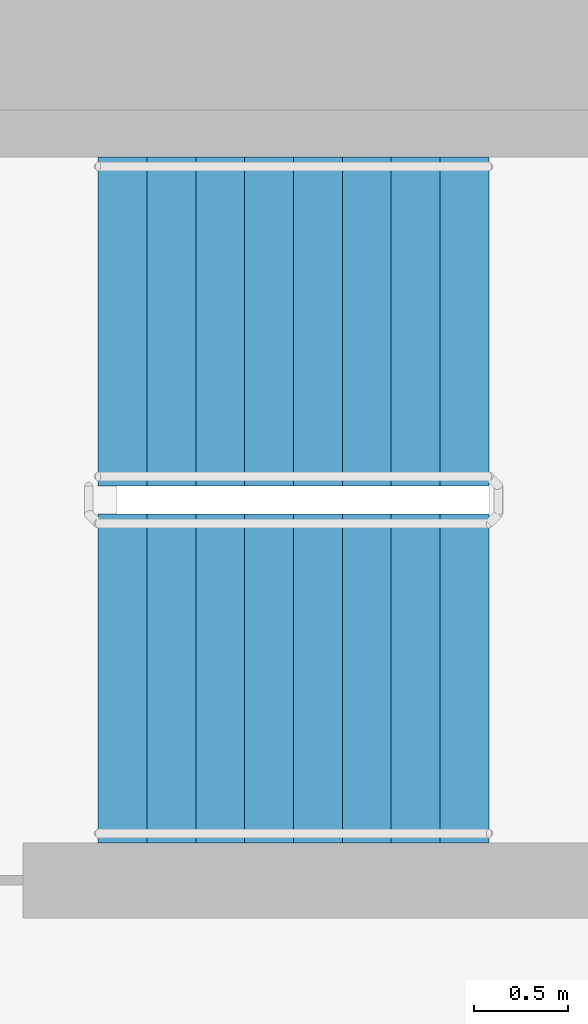
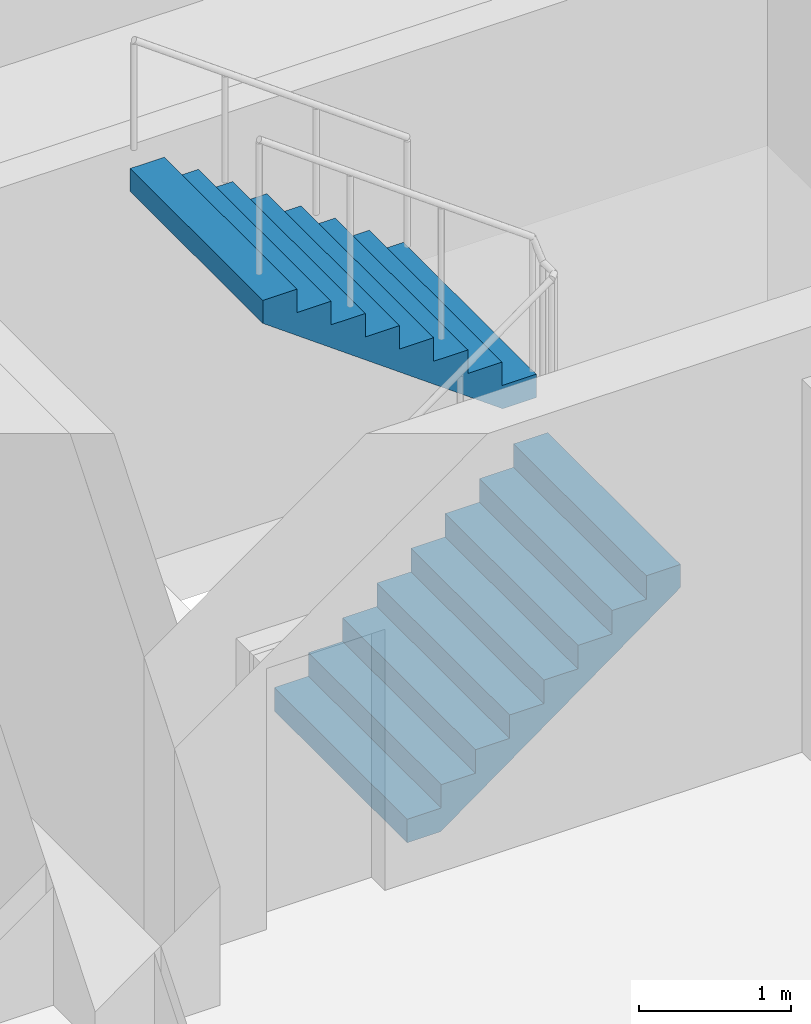
# One storey, part 16 of 21: 2 stair flights, 1 element without a shape of its own.
"""IFC4 building model written with IfcOpenShell, lengths in metres."""

from ifc_helpers import new_model, si_unit, direction, frame, origin, place, context, subcontext, project, spatial, faceted_brep, material, type_object, element, aggregate, save


model = new_model("IFC4")

# Units and contexts
model_context = context("Model", 3, precision=1e-05, world=origin(), true_north=direction((0.0, 1.0)))
body_context = subcontext(model_context, "Body", "Model", "MODEL_VIEW")
ifc_project = project(units=[si_unit("LENGTHUNIT", "METRE"), si_unit("AREAUNIT", "SQUARE_METRE"), si_unit("VOLUMEUNIT", "CUBIC_METRE"), si_unit("PLANEANGLEUNIT", "RADIAN"), si_unit("MASSUNIT", "GRAM", prefix="KILO")], contexts=[model_context])

# Site, building, storey
site_placement = place(None, origin())
site = spatial("IfcSite", under=ifc_project, at=site_placement, CompositionType="ELEMENT")
building_placement = place(site_placement, origin())
building = spatial("IfcBuilding", under=site, at=building_placement, Name="Ipe Terrace Towers", CompositionType="ELEMENT")
storey_placement = place(building_placement, frame((0.0, 0.0, 114.0)))
storey = spatial("IfcBuildingStorey", under=building, at=storey_placement, Name="L31", CompositionType="ELEMENT", Elevation=114.0)

# Stair, stair flights
ifc_material_1 = material(Name="Concrete C30/37", Category="concrete")
stair_type = type_object("IfcStairType", Name="Protected exit stair", PredefinedType="HALF_TURN_STAIR", material=ifc_material_1)
stair_placement = place(storey_placement, origin())
stair = element("IfcStair", 1, at=stair_placement, inside=storey, type_object=stair_type, Name="L31 Exit stair T1-C1", PredefinedType="HALF_TURN_STAIR")
ifc_material_2 = material(Name="Concrete C30/37", Category="concrete")
stair_flight_type = type_object("IfcStairFlightType", Name="Exit stair flight 1750", PredefinedType="STRAIGHT", material=ifc_material_2)
stair_flight_1_placement = place(storey_placement, frame((-26.300048828125, 2.77490234375, 0.0), z_axis=(0.0, 0.0, 1.0), x_axis=(1.0, 0.0, 0.0)))
stair_flight_1 = element("IfcStairFlight", 2, at=stair_flight_1_placement, type_object=stair_flight_type, Name="T1-ST1 flight 1", NumberOfRisers=9, NumberOfTreads=8, PredefinedType="STRAIGHT", RiserHeight=0.188888889, TreadLength=0.26, context=body_context, shape_type="Brep", body=[
    faceted_brep([(0.255126953125, -0.875, 0.0), (2.080078125, -0.875, 1.325927734375), (2.080078125, -0.875, 1.51123046875), (1.820068359375, -0.875, 1.51123046875), (1.820068359375, -0.875, 1.322265625), (1.56005859375, -0.875, 1.322265625), (1.56005859375, -0.875, 1.13330078125), (1.300048828125, -0.875, 1.13330078125), (1.300048828125, -0.875, 0.9443359375), (1.0400390625, -0.875, 0.9443359375), (1.0400390625, -0.875, 0.755615234375), (0.780029296875, -0.875, 0.755615234375), (0.780029296875, -0.875, 0.566650390625), (0.52001953125, -0.875, 0.566650390625), (0.52001953125, -0.875, 0.377685546875), (0.260009765625, -0.875, 0.377685546875), (0.260009765625, -0.875, 0.18896484375), (0.0, -0.875, 0.18896484375), (0.0, -0.875, 0.0), (0.0, 0.875, 0.0), (0.0, 0.875, 0.18896484375), (0.260009765625, 0.875, 0.18896484375), (0.260009765625, 0.875, 0.377685546875), (0.52001953125, 0.875, 0.377685546875), (0.52001953125, 0.875, 0.566650390625), (0.780029296875, 0.875, 0.566650390625), (0.780029296875, 0.875, 0.755615234375), (1.0400390625, 0.875, 0.755615234375), (1.0400390625, 0.875, 0.9443359375), (1.300048828125, 0.875, 0.9443359375), (1.300048828125, 0.875, 1.13330078125), (1.56005859375, 0.875, 1.13330078125), (1.56005859375, 0.875, 1.322265625), (1.820068359375, 0.875, 1.322265625), (1.820068359375, 0.875, 1.51123046875), (2.080078125, 0.875, 1.51123046875), (2.080078125, 0.875, 1.325927734375), (0.255126953125, 0.875, 0.0), (0.0, -0.300048828125, 0.18896484375), (0.0, -0.1201171875, 0.18896484375), (0.0, -0.06005859375, 0.18896484375), (0.0, -0.030029296875, 0.18896484375), (0.0, -0.010009765625, 0.18896484375), (0.0, 0.0, 0.18896484375), (0.0, 0.010009765625, 0.18896484375), (0.0, 0.030029296875, 0.18896484375), (0.0, 0.06005859375, 0.18896484375), (0.0, 0.1201171875, 0.18896484375), (0.0, 0.300048828125, 0.18896484375), (0.0, 0.300048828125, 0.0), (0.0, 0.1201171875, 0.0), (0.0, 0.06005859375, 0.0), (0.0, 0.030029296875, 0.0), (0.0, 0.010009765625, 0.0), (0.0, 0.0, 0.0), (0.0, -0.010009765625, 0.0), (0.0, -0.030029296875, 0.0), (0.0, -0.06005859375, 0.0), (0.0, -0.1201171875, 0.0), (0.0, -0.300048828125, 0.0), (0.260009765625, -0.300048828125, 0.18896484375), (0.260009765625, -0.1201171875, 0.18896484375), (0.260009765625, -0.06005859375, 0.18896484375), (0.260009765625, -0.030029296875, 0.18896484375), (0.260009765625, -0.010009765625, 0.18896484375), (0.260009765625, 0.0, 0.18896484375), (0.260009765625, 0.010009765625, 0.18896484375), (0.260009765625, 0.030029296875, 0.18896484375), (0.260009765625, 0.06005859375, 0.18896484375), (0.260009765625, 0.1201171875, 0.18896484375), (0.260009765625, 0.300048828125, 0.18896484375), (0.260009765625, -0.300048828125, 0.377685546875), (0.260009765625, -0.1201171875, 0.377685546875), (0.260009765625, -0.06005859375, 0.377685546875), (0.260009765625, -0.030029296875, 0.377685546875), (0.260009765625, -0.010009765625, 0.377685546875), (0.260009765625, 0.0, 0.377685546875), (0.260009765625, 0.010009765625, 0.377685546875), (0.260009765625, 0.030029296875, 0.377685546875), (0.260009765625, 0.06005859375, 0.377685546875), (0.260009765625, 0.1201171875, 0.377685546875), (0.260009765625, 0.300048828125, 0.377685546875), (0.52001953125, -0.300048828125, 0.377685546875), (0.52001953125, -0.1201171875, 0.377685546875), (0.52001953125, -0.06005859375, 0.377685546875), (0.52001953125, -0.030029296875, 0.377685546875), (0.52001953125, -0.010009765625, 0.377685546875), (0.52001953125, 0.0, 0.377685546875), (0.52001953125, 0.010009765625, 0.377685546875), (0.52001953125, 0.030029296875, 0.377685546875), (0.52001953125, 0.06005859375, 0.377685546875), (0.52001953125, 0.1201171875, 0.377685546875), (0.52001953125, 0.300048828125, 0.377685546875), (0.52001953125, -0.300048828125, 0.566650390625), (0.52001953125, -0.1201171875, 0.566650390625), (0.52001953125, -0.06005859375, 0.566650390625), (0.52001953125, -0.030029296875, 0.566650390625), (0.52001953125, -0.010009765625, 0.566650390625), (0.52001953125, 0.0, 0.566650390625), (0.52001953125, 0.010009765625, 0.566650390625), (0.52001953125, 0.030029296875, 0.566650390625), (0.52001953125, 0.06005859375, 0.566650390625), (0.52001953125, 0.1201171875, 0.566650390625), (0.52001953125, 0.300048828125, 0.566650390625), (0.780029296875, -0.300048828125, 0.566650390625), (0.780029296875, -0.1201171875, 0.566650390625), (0.780029296875, -0.06005859375, 0.566650390625), (0.780029296875, -0.030029296875, 0.566650390625), (0.780029296875, -0.010009765625, 0.566650390625), (0.780029296875, 0.0, 0.566650390625), (0.780029296875, 0.010009765625, 0.566650390625), (0.780029296875, 0.030029296875, 0.566650390625), (0.780029296875, 0.06005859375, 0.566650390625), (0.780029296875, 0.1201171875, 0.566650390625), (0.780029296875, 0.300048828125, 0.566650390625), (0.780029296875, -0.300048828125, 0.755615234375), (0.780029296875, -0.1201171875, 0.755615234375), (0.780029296875, -0.06005859375, 0.755615234375), (0.780029296875, -0.030029296875, 0.755615234375), (0.780029296875, -0.010009765625, 0.755615234375), (0.780029296875, 0.0, 0.755615234375), (0.780029296875, 0.010009765625, 0.755615234375), (0.780029296875, 0.030029296875, 0.755615234375), (0.780029296875, 0.06005859375, 0.755615234375), (0.780029296875, 0.1201171875, 0.755615234375), (0.780029296875, 0.300048828125, 0.755615234375), (1.0400390625, -0.300048828125, 0.755615234375), (1.0400390625, -0.1201171875, 0.755615234375), (1.0400390625, -0.06005859375, 0.755615234375), (1.0400390625, -0.030029296875, 0.755615234375), (1.0400390625, -0.010009765625, 0.755615234375), (1.0400390625, 0.0, 0.755615234375), (1.0400390625, 0.010009765625, 0.755615234375), (1.0400390625, 0.030029296875, 0.755615234375), (1.0400390625, 0.06005859375, 0.755615234375), (1.0400390625, 0.1201171875, 0.755615234375), (1.0400390625, 0.300048828125, 0.755615234375), (1.0400390625, -0.300048828125, 0.9443359375), (1.0400390625, -0.1201171875, 0.9443359375), (1.0400390625, -0.06005859375, 0.9443359375), (1.0400390625, -0.030029296875, 0.9443359375), (1.0400390625, -0.010009765625, 0.9443359375), (1.0400390625, 0.0, 0.9443359375), (1.0400390625, 0.010009765625, 0.9443359375), (1.0400390625, 0.030029296875, 0.9443359375), (1.0400390625, 0.06005859375, 0.9443359375), (1.0400390625, 0.1201171875, 0.9443359375), (1.0400390625, 0.300048828125, 0.9443359375), (1.300048828125, -0.300048828125, 0.9443359375), (1.300048828125, -0.1201171875, 0.9443359375), (1.300048828125, -0.06005859375, 0.9443359375), (1.300048828125, -0.030029296875, 0.9443359375), (1.300048828125, -0.010009765625, 0.9443359375), (1.300048828125, 0.0, 0.9443359375), (1.300048828125, 0.010009765625, 0.9443359375), (1.300048828125, 0.030029296875, 0.9443359375), (1.300048828125, 0.06005859375, 0.9443359375), (1.300048828125, 0.1201171875, 0.9443359375), (1.300048828125, 0.300048828125, 0.9443359375), (1.300048828125, -0.300048828125, 1.13330078125), (1.300048828125, -0.1201171875, 1.13330078125), (1.300048828125, -0.06005859375, 1.13330078125), (1.300048828125, -0.030029296875, 1.13330078125), (1.300048828125, -0.010009765625, 1.13330078125), (1.300048828125, 0.0, 1.13330078125), (1.300048828125, 0.010009765625, 1.13330078125), (1.300048828125, 0.030029296875, 1.13330078125), (1.300048828125, 0.06005859375, 1.13330078125), (1.300048828125, 0.1201171875, 1.13330078125), (1.300048828125, 0.300048828125, 1.13330078125), (1.56005859375, -0.300048828125, 1.13330078125), (1.56005859375, -0.1201171875, 1.13330078125), (1.56005859375, -0.06005859375, 1.13330078125), (1.56005859375, -0.030029296875, 1.13330078125), (1.56005859375, -0.010009765625, 1.13330078125), (1.56005859375, 0.0, 1.13330078125), (1.56005859375, 0.010009765625, 1.13330078125), (1.56005859375, 0.030029296875, 1.13330078125), (1.56005859375, 0.06005859375, 1.13330078125), (1.56005859375, 0.1201171875, 1.13330078125), (1.56005859375, 0.300048828125, 1.13330078125), (1.56005859375, -0.300048828125, 1.322265625), (1.56005859375, -0.1201171875, 1.322265625), (1.56005859375, -0.06005859375, 1.322265625), (1.56005859375, -0.030029296875, 1.322265625), (1.56005859375, -0.010009765625, 1.322265625), (1.56005859375, 0.0, 1.322265625), (1.56005859375, 0.010009765625, 1.322265625), (1.56005859375, 0.030029296875, 1.322265625), (1.56005859375, 0.06005859375, 1.322265625), (1.56005859375, 0.1201171875, 1.322265625), (1.56005859375, 0.300048828125, 1.322265625), (1.820068359375, -0.300048828125, 1.322265625), (1.820068359375, -0.1201171875, 1.322265625), (1.820068359375, -0.06005859375, 1.322265625), (1.820068359375, -0.030029296875, 1.322265625), (1.820068359375, -0.010009765625, 1.322265625), (1.820068359375, 0.0, 1.322265625), (1.820068359375, 0.010009765625, 1.322265625), (1.820068359375, 0.030029296875, 1.322265625), (1.820068359375, 0.06005859375, 1.322265625), (1.820068359375, 0.1201171875, 1.322265625), (1.820068359375, 0.300048828125, 1.322265625), (1.820068359375, -0.300048828125, 1.51123046875), (1.820068359375, -0.1201171875, 1.51123046875), (1.820068359375, -0.06005859375, 1.51123046875), (1.820068359375, -0.030029296875, 1.51123046875), (1.820068359375, -0.010009765625, 1.51123046875), (1.820068359375, 0.0, 1.51123046875), (1.820068359375, 0.010009765625, 1.51123046875), (1.820068359375, 0.030029296875, 1.51123046875), (1.820068359375, 0.06005859375, 1.51123046875), (1.820068359375, 0.1201171875, 1.51123046875), (1.820068359375, 0.300048828125, 1.51123046875), (2.080078125, -0.300048828125, 1.51123046875), (2.080078125, -0.1201171875, 1.51123046875), (2.080078125, -0.06005859375, 1.51123046875), (2.080078125, -0.030029296875, 1.51123046875), (2.080078125, -0.010009765625, 1.51123046875), (2.080078125, 0.0, 1.51123046875), (2.080078125, 0.010009765625, 1.51123046875), (2.080078125, 0.030029296875, 1.51123046875), (2.080078125, 0.06005859375, 1.51123046875), (2.080078125, 0.1201171875, 1.51123046875), (2.080078125, 0.300048828125, 1.51123046875), (2.080078125, -0.300048828125, 1.325927734375), (2.080078125, -0.1201171875, 1.325927734375), (2.080078125, -0.06005859375, 1.325927734375), (2.080078125, -0.030029296875, 1.325927734375), (2.080078125, -0.010009765625, 1.325927734375), (2.080078125, 0.0, 1.325927734375), (2.080078125, 0.010009765625, 1.325927734375), (2.080078125, 0.030029296875, 1.325927734375), (2.080078125, 0.06005859375, 1.325927734375), (2.080078125, 0.1201171875, 1.325927734375), (2.080078125, 0.300048828125, 1.325927734375), (0.255126953125, -0.300048828125, 0.0), (0.255126953125, -0.1201171875, 0.0), (0.255126953125, -0.06005859375, 0.0), (0.255126953125, -0.030029296875, 0.0), (0.255126953125, -0.010009765625, 0.0), (0.255126953125, 0.0, 0.0), (0.255126953125, 0.010009765625, 0.0), (0.255126953125, 0.030029296875, 0.0), (0.255126953125, 0.06005859375, 0.0), (0.255126953125, 0.1201171875, 0.0), (0.255126953125, 0.300048828125, 0.0)], [[[0, 1, 2, 3, 4, 5, 6, 7, 8, 9, 10, 11, 12, 13, 14, 15, 16, 17, 18]], [[19, 20, 21, 22, 23, 24, 25, 26, 27, 28, 29, 30, 31, 32, 33, 34, 35, 36, 37]], [[17, 38, 39, 40, 41, 42, 43, 44, 45, 46, 47, 48, 20, 19, 49, 50, 51, 52, 53, 54, 55, 56, 57, 58, 59, 18]], [[16, 60, 61, 62, 63, 64, 65, 66, 67, 68, 69, 70, 21, 20, 48, 47, 46, 45, 44, 43, 42, 41, 40, 39, 38, 17]], [[15, 71, 72, 73, 74, 75, 76, 77, 78, 79, 80, 81, 22, 21, 70, 69, 68, 67, 66, 65, 64, 63, 62, 61, 60, 16]], [[14, 82, 83, 84, 85, 86, 87, 88, 89, 90, 91, 92, 23, 22, 81, 80, 79, 78, 77, 76, 75, 74, 73, 72, 71, 15]], [[13, 93, 94, 95, 96, 97, 98, 99, 100, 101, 102, 103, 24, 23, 92, 91, 90, 89, 88, 87, 86, 85, 84, 83, 82, 14]], [[12, 104, 105, 106, 107, 108, 109, 110, 111, 112, 113, 114, 25, 24, 103, 102, 101, 100, 99, 98, 97, 96, 95, 94, 93, 13]], [[11, 115, 116, 117, 118, 119, 120, 121, 122, 123, 124, 125, 26, 25, 114, 113, 112, 111, 110, 109, 108, 107, 106, 105, 104, 12]], [[10, 126, 127, 128, 129, 130, 131, 132, 133, 134, 135, 136, 27, 26, 125, 124, 123, 122, 121, 120, 119, 118, 117, 116, 115, 11]], [[9, 137, 138, 139, 140, 141, 142, 143, 144, 145, 146, 147, 28, 27, 136, 135, 134, 133, 132, 131, 130, 129, 128, 127, 126, 10]], [[8, 148, 149, 150, 151, 152, 153, 154, 155, 156, 157, 158, 29, 28, 147, 146, 145, 144, 143, 142, 141, 140, 139, 138, 137, 9]], [[7, 159, 160, 161, 162, 163, 164, 165, 166, 167, 168, 169, 30, 29, 158, 157, 156, 155, 154, 153, 152, 151, 150, 149, 148, 8]], [[6, 170, 171, 172, 173, 174, 175, 176, 177, 178, 179, 180, 31, 30, 169, 168, 167, 166, 165, 164, 163, 162, 161, 160, 159, 7]], [[5, 181, 182, 183, 184, 185, 186, 187, 188, 189, 190, 191, 32, 31, 180, 179, 178, 177, 176, 175, 174, 173, 172, 171, 170, 6]], [[4, 192, 193, 194, 195, 196, 197, 198, 199, 200, 201, 202, 33, 32, 191, 190, 189, 188, 187, 186, 185, 184, 183, 182, 181, 5]], [[3, 203, 204, 205, 206, 207, 208, 209, 210, 211, 212, 213, 34, 33, 202, 201, 200, 199, 198, 197, 196, 195, 194, 193, 192, 4]], [[2, 214, 215, 216, 217, 218, 219, 220, 221, 222, 223, 224, 35, 34, 213, 212, 211, 210, 209, 208, 207, 206, 205, 204, 203, 3]], [[1, 225, 226, 227, 228, 229, 230, 231, 232, 233, 234, 235, 36, 35, 224, 223, 222, 221, 220, 219, 218, 217, 216, 215, 214, 2]], [[0, 236, 237, 238, 239, 240, 241, 242, 243, 244, 245, 246, 37, 36, 235, 234, 233, 232, 231, 230, 229, 228, 227, 226, 225, 1]], [[18, 59, 58, 57, 56, 55, 54, 53, 52, 51, 50, 49, 19, 37, 246, 245, 244, 243, 242, 241, 240, 239, 238, 237, 236, 0]]]),
])
stair_flight_2_placement = place(storey_placement, frame((-24.219970703125, 4.675048828125, 1.699951171875), z_axis=(0.0, 0.0, 1.0), x_axis=(-1.0, 0.0, 0.0)))
stair_flight_2 = element("IfcStairFlight", 3, at=stair_flight_2_placement, type_object=stair_flight_type, Name="T1-ST1 flight 2", NumberOfRisers=9, NumberOfTreads=8, PredefinedType="STRAIGHT", RiserHeight=0.188888889, TreadLength=0.26, context=body_context, shape_type="Brep", body=[
    faceted_brep([(0.255126953125, -0.875, 0.0), (2.080078125, -0.875, 1.325927734375), (2.080078125, -0.875, 1.51123046875), (1.820068359375, -0.875, 1.51123046875), (1.820068359375, -0.875, 1.322265625), (1.56005859375, -0.875, 1.322265625), (1.56005859375, -0.875, 1.13330078125), (1.300048828125, -0.875, 1.13330078125), (1.300048828125, -0.875, 0.9443359375), (1.0400390625, -0.875, 0.9443359375), (1.0400390625, -0.875, 0.755615234375), (0.780029296875, -0.875, 0.755615234375), (0.780029296875, -0.875, 0.566650390625), (0.52001953125, -0.875, 0.566650390625), (0.52001953125, -0.875, 0.377685546875), (0.260009765625, -0.875, 0.377685546875), (0.260009765625, -0.875, 0.18896484375), (0.0, -0.875, 0.18896484375), (0.0, -0.875, 0.0), (0.0, 0.875, 0.0), (0.0, 0.875, 0.18896484375), (0.260009765625, 0.875, 0.18896484375), (0.260009765625, 0.875, 0.377685546875), (0.52001953125, 0.875, 0.377685546875), (0.52001953125, 0.875, 0.566650390625), (0.780029296875, 0.875, 0.566650390625), (0.780029296875, 0.875, 0.755615234375), (1.0400390625, 0.875, 0.755615234375), (1.0400390625, 0.875, 0.9443359375), (1.300048828125, 0.875, 0.9443359375), (1.300048828125, 0.875, 1.13330078125), (1.56005859375, 0.875, 1.13330078125), (1.56005859375, 0.875, 1.322265625), (1.820068359375, 0.875, 1.322265625), (1.820068359375, 0.875, 1.51123046875), (2.080078125, 0.875, 1.51123046875), (2.080078125, 0.875, 1.325927734375), (0.255126953125, 0.875, 0.0), (0.0, -0.300048828125, 0.18896484375), (0.0, -0.1201171875, 0.18896484375), (0.0, -0.06005859375, 0.18896484375), (0.0, -0.030029296875, 0.18896484375), (0.0, -0.010009765625, 0.18896484375), (0.0, 0.0, 0.18896484375), (0.0, 0.010009765625, 0.18896484375), (0.0, 0.030029296875, 0.18896484375), (0.0, 0.06005859375, 0.18896484375), (0.0, 0.1201171875, 0.18896484375), (0.0, 0.300048828125, 0.18896484375), (0.0, 0.300048828125, 0.0), (0.0, 0.1201171875, 0.0), (0.0, 0.06005859375, 0.0), (0.0, 0.030029296875, 0.0), (0.0, 0.010009765625, 0.0), (0.0, 0.0, 0.0), (0.0, -0.010009765625, 0.0), (0.0, -0.030029296875, 0.0), (0.0, -0.06005859375, 0.0), (0.0, -0.1201171875, 0.0), (0.0, -0.300048828125, 0.0), (0.260009765625, -0.300048828125, 0.18896484375), (0.260009765625, -0.1201171875, 0.18896484375), (0.260009765625, -0.06005859375, 0.18896484375), (0.260009765625, -0.030029296875, 0.18896484375), (0.260009765625, -0.010009765625, 0.18896484375), (0.260009765625, 0.0, 0.18896484375), (0.260009765625, 0.010009765625, 0.18896484375), (0.260009765625, 0.030029296875, 0.18896484375), (0.260009765625, 0.06005859375, 0.18896484375), (0.260009765625, 0.1201171875, 0.18896484375), (0.260009765625, 0.300048828125, 0.18896484375), (0.260009765625, -0.300048828125, 0.377685546875), (0.260009765625, -0.1201171875, 0.377685546875), (0.260009765625, -0.06005859375, 0.377685546875), (0.260009765625, -0.030029296875, 0.377685546875), (0.260009765625, -0.010009765625, 0.377685546875), (0.260009765625, 0.0, 0.377685546875), (0.260009765625, 0.010009765625, 0.377685546875), (0.260009765625, 0.030029296875, 0.377685546875), (0.260009765625, 0.06005859375, 0.377685546875), (0.260009765625, 0.1201171875, 0.377685546875), (0.260009765625, 0.300048828125, 0.377685546875), (0.52001953125, -0.300048828125, 0.377685546875), (0.52001953125, -0.1201171875, 0.377685546875), (0.52001953125, -0.06005859375, 0.377685546875), (0.52001953125, -0.030029296875, 0.377685546875), (0.52001953125, -0.010009765625, 0.377685546875), (0.52001953125, 0.0, 0.377685546875), (0.52001953125, 0.010009765625, 0.377685546875), (0.52001953125, 0.030029296875, 0.377685546875), (0.52001953125, 0.06005859375, 0.377685546875), (0.52001953125, 0.1201171875, 0.377685546875), (0.52001953125, 0.300048828125, 0.377685546875), (0.52001953125, -0.300048828125, 0.566650390625), (0.52001953125, -0.1201171875, 0.566650390625), (0.52001953125, -0.06005859375, 0.566650390625), (0.52001953125, -0.030029296875, 0.566650390625), (0.52001953125, -0.010009765625, 0.566650390625), (0.52001953125, 0.0, 0.566650390625), (0.52001953125, 0.010009765625, 0.566650390625), (0.52001953125, 0.030029296875, 0.566650390625), (0.52001953125, 0.06005859375, 0.566650390625), (0.52001953125, 0.1201171875, 0.566650390625), (0.52001953125, 0.300048828125, 0.566650390625), (0.780029296875, -0.300048828125, 0.566650390625), (0.780029296875, -0.1201171875, 0.566650390625), (0.780029296875, -0.06005859375, 0.566650390625), (0.780029296875, -0.030029296875, 0.566650390625), (0.780029296875, -0.010009765625, 0.566650390625), (0.780029296875, 0.0, 0.566650390625), (0.780029296875, 0.010009765625, 0.566650390625), (0.780029296875, 0.030029296875, 0.566650390625), (0.780029296875, 0.06005859375, 0.566650390625), (0.780029296875, 0.1201171875, 0.566650390625), (0.780029296875, 0.300048828125, 0.566650390625), (0.780029296875, -0.300048828125, 0.755615234375), (0.780029296875, -0.1201171875, 0.755615234375), (0.780029296875, -0.06005859375, 0.755615234375), (0.780029296875, -0.030029296875, 0.755615234375), (0.780029296875, -0.010009765625, 0.755615234375), (0.780029296875, 0.0, 0.755615234375), (0.780029296875, 0.010009765625, 0.755615234375), (0.780029296875, 0.030029296875, 0.755615234375), (0.780029296875, 0.06005859375, 0.755615234375), (0.780029296875, 0.1201171875, 0.755615234375), (0.780029296875, 0.300048828125, 0.755615234375), (1.0400390625, -0.300048828125, 0.755615234375), (1.0400390625, -0.1201171875, 0.755615234375), (1.0400390625, -0.06005859375, 0.755615234375), (1.0400390625, -0.030029296875, 0.755615234375), (1.0400390625, -0.010009765625, 0.755615234375), (1.0400390625, 0.0, 0.755615234375), (1.0400390625, 0.010009765625, 0.755615234375), (1.0400390625, 0.030029296875, 0.755615234375), (1.0400390625, 0.06005859375, 0.755615234375), (1.0400390625, 0.1201171875, 0.755615234375), (1.0400390625, 0.300048828125, 0.755615234375), (1.0400390625, -0.300048828125, 0.9443359375), (1.0400390625, -0.1201171875, 0.9443359375), (1.0400390625, -0.06005859375, 0.9443359375), (1.0400390625, -0.030029296875, 0.9443359375), (1.0400390625, -0.010009765625, 0.9443359375), (1.0400390625, 0.0, 0.9443359375), (1.0400390625, 0.010009765625, 0.9443359375), (1.0400390625, 0.030029296875, 0.9443359375), (1.0400390625, 0.06005859375, 0.9443359375), (1.0400390625, 0.1201171875, 0.9443359375), (1.0400390625, 0.300048828125, 0.9443359375), (1.300048828125, -0.300048828125, 0.9443359375), (1.300048828125, -0.1201171875, 0.9443359375), (1.300048828125, -0.06005859375, 0.9443359375), (1.300048828125, -0.030029296875, 0.9443359375), (1.300048828125, -0.010009765625, 0.9443359375), (1.300048828125, 0.0, 0.9443359375), (1.300048828125, 0.010009765625, 0.9443359375), (1.300048828125, 0.030029296875, 0.9443359375), (1.300048828125, 0.06005859375, 0.9443359375), (1.300048828125, 0.1201171875, 0.9443359375), (1.300048828125, 0.300048828125, 0.9443359375), (1.300048828125, -0.300048828125, 1.13330078125), (1.300048828125, -0.1201171875, 1.13330078125), (1.300048828125, -0.06005859375, 1.13330078125), (1.300048828125, -0.030029296875, 1.13330078125), (1.300048828125, -0.010009765625, 1.13330078125), (1.300048828125, 0.0, 1.13330078125), (1.300048828125, 0.010009765625, 1.13330078125), (1.300048828125, 0.030029296875, 1.13330078125), (1.300048828125, 0.06005859375, 1.13330078125), (1.300048828125, 0.1201171875, 1.13330078125), (1.300048828125, 0.300048828125, 1.13330078125), (1.56005859375, -0.300048828125, 1.13330078125), (1.56005859375, -0.1201171875, 1.13330078125), (1.56005859375, -0.06005859375, 1.13330078125), (1.56005859375, -0.030029296875, 1.13330078125), (1.56005859375, -0.010009765625, 1.13330078125), (1.56005859375, 0.0, 1.13330078125), (1.56005859375, 0.010009765625, 1.13330078125), (1.56005859375, 0.030029296875, 1.13330078125), (1.56005859375, 0.06005859375, 1.13330078125), (1.56005859375, 0.1201171875, 1.13330078125), (1.56005859375, 0.300048828125, 1.13330078125), (1.56005859375, -0.300048828125, 1.322265625), (1.56005859375, -0.1201171875, 1.322265625), (1.56005859375, -0.06005859375, 1.322265625), (1.56005859375, -0.030029296875, 1.322265625), (1.56005859375, -0.010009765625, 1.322265625), (1.56005859375, 0.0, 1.322265625), (1.56005859375, 0.010009765625, 1.322265625), (1.56005859375, 0.030029296875, 1.322265625), (1.56005859375, 0.06005859375, 1.322265625), (1.56005859375, 0.1201171875, 1.322265625), (1.56005859375, 0.300048828125, 1.322265625), (1.820068359375, -0.300048828125, 1.322265625), (1.820068359375, -0.1201171875, 1.322265625), (1.820068359375, -0.06005859375, 1.322265625), (1.820068359375, -0.030029296875, 1.322265625), (1.820068359375, -0.010009765625, 1.322265625), (1.820068359375, 0.0, 1.322265625), (1.820068359375, 0.010009765625, 1.322265625), (1.820068359375, 0.030029296875, 1.322265625), (1.820068359375, 0.06005859375, 1.322265625), (1.820068359375, 0.1201171875, 1.322265625), (1.820068359375, 0.300048828125, 1.322265625), (1.820068359375, -0.300048828125, 1.51123046875), (1.820068359375, -0.1201171875, 1.51123046875), (1.820068359375, -0.06005859375, 1.51123046875), (1.820068359375, -0.030029296875, 1.51123046875), (1.820068359375, -0.010009765625, 1.51123046875), (1.820068359375, 0.0, 1.51123046875), (1.820068359375, 0.010009765625, 1.51123046875), (1.820068359375, 0.030029296875, 1.51123046875), (1.820068359375, 0.06005859375, 1.51123046875), (1.820068359375, 0.1201171875, 1.51123046875), (1.820068359375, 0.300048828125, 1.51123046875), (2.080078125, -0.300048828125, 1.51123046875), (2.080078125, -0.1201171875, 1.51123046875), (2.080078125, -0.06005859375, 1.51123046875), (2.080078125, -0.030029296875, 1.51123046875), (2.080078125, -0.010009765625, 1.51123046875), (2.080078125, 0.0, 1.51123046875), (2.080078125, 0.010009765625, 1.51123046875), (2.080078125, 0.030029296875, 1.51123046875), (2.080078125, 0.06005859375, 1.51123046875), (2.080078125, 0.1201171875, 1.51123046875), (2.080078125, 0.300048828125, 1.51123046875), (2.080078125, -0.300048828125, 1.325927734375), (2.080078125, -0.1201171875, 1.325927734375), (2.080078125, -0.06005859375, 1.325927734375), (2.080078125, -0.030029296875, 1.325927734375), (2.080078125, -0.010009765625, 1.325927734375), (2.080078125, 0.0, 1.325927734375), (2.080078125, 0.010009765625, 1.325927734375), (2.080078125, 0.030029296875, 1.325927734375), (2.080078125, 0.06005859375, 1.325927734375), (2.080078125, 0.1201171875, 1.325927734375), (2.080078125, 0.300048828125, 1.325927734375), (0.255126953125, -0.300048828125, 0.0), (0.255126953125, -0.1201171875, 0.0), (0.255126953125, -0.06005859375, 0.0), (0.255126953125, -0.030029296875, 0.0), (0.255126953125, -0.010009765625, 0.0), (0.255126953125, 0.0, 0.0), (0.255126953125, 0.010009765625, 0.0), (0.255126953125, 0.030029296875, 0.0), (0.255126953125, 0.06005859375, 0.0), (0.255126953125, 0.1201171875, 0.0), (0.255126953125, 0.300048828125, 0.0)], [[[0, 1, 2, 3, 4, 5, 6, 7, 8, 9, 10, 11, 12, 13, 14, 15, 16, 17, 18]], [[19, 20, 21, 22, 23, 24, 25, 26, 27, 28, 29, 30, 31, 32, 33, 34, 35, 36, 37]], [[17, 38, 39, 40, 41, 42, 43, 44, 45, 46, 47, 48, 20, 19, 49, 50, 51, 52, 53, 54, 55, 56, 57, 58, 59, 18]], [[16, 60, 61, 62, 63, 64, 65, 66, 67, 68, 69, 70, 21, 20, 48, 47, 46, 45, 44, 43, 42, 41, 40, 39, 38, 17]], [[15, 71, 72, 73, 74, 75, 76, 77, 78, 79, 80, 81, 22, 21, 70, 69, 68, 67, 66, 65, 64, 63, 62, 61, 60, 16]], [[14, 82, 83, 84, 85, 86, 87, 88, 89, 90, 91, 92, 23, 22, 81, 80, 79, 78, 77, 76, 75, 74, 73, 72, 71, 15]], [[13, 93, 94, 95, 96, 97, 98, 99, 100, 101, 102, 103, 24, 23, 92, 91, 90, 89, 88, 87, 86, 85, 84, 83, 82, 14]], [[12, 104, 105, 106, 107, 108, 109, 110, 111, 112, 113, 114, 25, 24, 103, 102, 101, 100, 99, 98, 97, 96, 95, 94, 93, 13]], [[11, 115, 116, 117, 118, 119, 120, 121, 122, 123, 124, 125, 26, 25, 114, 113, 112, 111, 110, 109, 108, 107, 106, 105, 104, 12]], [[10, 126, 127, 128, 129, 130, 131, 132, 133, 134, 135, 136, 27, 26, 125, 124, 123, 122, 121, 120, 119, 118, 117, 116, 115, 11]], [[9, 137, 138, 139, 140, 141, 142, 143, 144, 145, 146, 147, 28, 27, 136, 135, 134, 133, 132, 131, 130, 129, 128, 127, 126, 10]], [[8, 148, 149, 150, 151, 152, 153, 154, 155, 156, 157, 158, 29, 28, 147, 146, 145, 144, 143, 142, 141, 140, 139, 138, 137, 9]], [[7, 159, 160, 161, 162, 163, 164, 165, 166, 167, 168, 169, 30, 29, 158, 157, 156, 155, 154, 153, 152, 151, 150, 149, 148, 8]], [[6, 170, 171, 172, 173, 174, 175, 176, 177, 178, 179, 180, 31, 30, 169, 168, 167, 166, 165, 164, 163, 162, 161, 160, 159, 7]], [[5, 181, 182, 183, 184, 185, 186, 187, 188, 189, 190, 191, 32, 31, 180, 179, 178, 177, 176, 175, 174, 173, 172, 171, 170, 6]], [[4, 192, 193, 194, 195, 196, 197, 198, 199, 200, 201, 202, 33, 32, 191, 190, 189, 188, 187, 186, 185, 184, 183, 182, 181, 5]], [[3, 203, 204, 205, 206, 207, 208, 209, 210, 211, 212, 213, 34, 33, 202, 201, 200, 199, 198, 197, 196, 195, 194, 193, 192, 4]], [[2, 214, 215, 216, 217, 218, 219, 220, 221, 222, 223, 224, 35, 34, 213, 212, 211, 210, 209, 208, 207, 206, 205, 204, 203, 3]], [[1, 225, 226, 227, 228, 229, 230, 231, 232, 233, 234, 235, 36, 35, 224, 223, 222, 221, 220, 219, 218, 217, 216, 215, 214, 2]], [[0, 236, 237, 238, 239, 240, 241, 242, 243, 244, 245, 246, 37, 36, 235, 234, 233, 232, 231, 230, 229, 228, 227, 226, 225, 1]], [[18, 59, 58, 57, 56, 55, 54, 53, 52, 51, 50, 49, 19, 37, 246, 245, 244, 243, 242, 241, 240, 239, 238, 237, 236, 0]]]),
])
aggregate(stair, [stair_flight_1, stair_flight_2])

save(model, "model.ifc")
